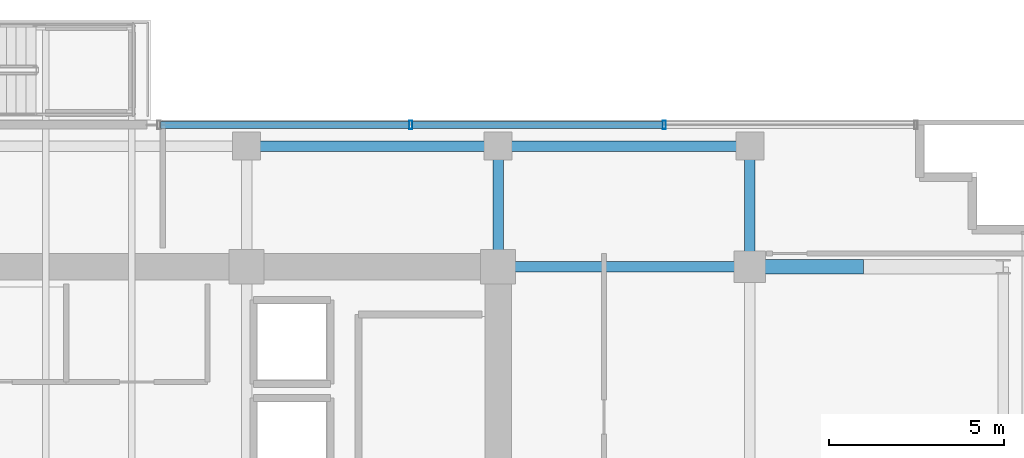
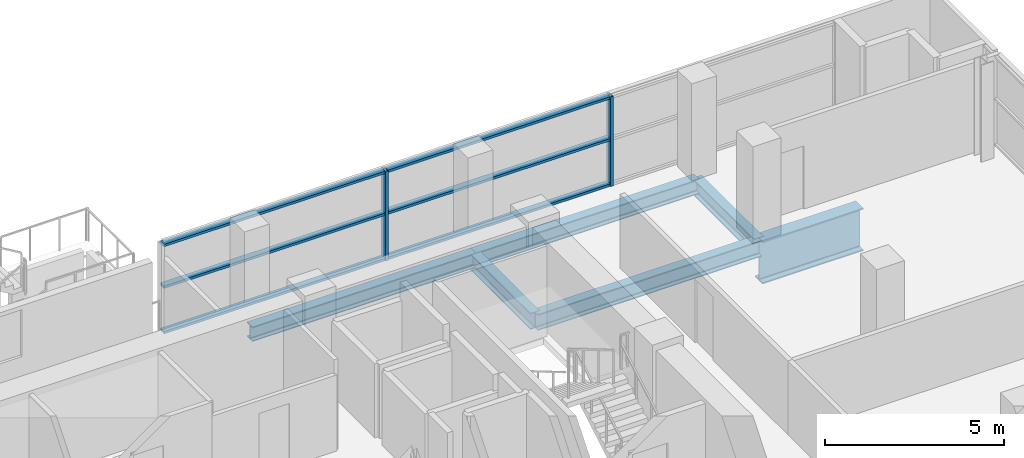
# One storey, part 15 of 27: 8 members, 6 beams, 1 element without a shape of its own.
"""IFC4 building model written with IfcOpenShell, lengths in metres."""

from ifc_helpers import new_model, si_unit, direction, frame, origin, origin_2d, place, context, subcontext, project, spatial, hollow_rectangle, i_section, extrude, source, transform, mapped, material, layer, layer_set, material_profile, profile_set, type_object, element, aggregate, save


model = new_model("IFC4")

# Units and contexts
model_context = context("Model", 3, precision=1e-05, world=origin(), true_north=direction((0.0, 1.0)))
body_context = subcontext(model_context, "Body", "Model", "MODEL_VIEW")
ifc_project = project(units=[si_unit("LENGTHUNIT", "METRE"), si_unit("AREAUNIT", "SQUARE_METRE"), si_unit("VOLUMEUNIT", "CUBIC_METRE"), si_unit("PLANEANGLEUNIT", "RADIAN"), si_unit("MASSUNIT", "GRAM", prefix="KILO")], contexts=[model_context])

# Site, building, storey
site_placement = place(None, origin())
site = spatial("IfcSite", under=ifc_project, at=site_placement, CompositionType="ELEMENT")
building_placement = place(site_placement, origin())
building = spatial("IfcBuilding", under=site, at=building_placement, Name="Zarnakvel Exchange Tower", CompositionType="ELEMENT")
storey_placement = place(building_placement, frame((0.0, 0.0, 113.199951171875)))
storey = spatial("IfcBuildingStorey", under=building, at=storey_placement, Name="L31", CompositionType="ELEMENT", Elevation=113.199951171875)

# Beams
ifc_material_1 = material(Name="Steel S355", Category="steel")
ifc_material_profile_1 = material_profile(ifc_material_1, i_section(OverallWidth=0.300048828125, OverallDepth=0.550048828125, WebThickness=0.014892578125, FlangeThickness=0.029052734375, FilletRadius=0.027099609375, at=origin_2d()))
ifc_profile_set_1 = profile_set([ifc_material_profile_1], Name="Steel S355")
beam_type_1 = type_object("IfcBeamType", Name="G-05", PredefinedType="BEAM", material=ifc_profile_set_1)
beam_1_placement = place(storey_placement, frame((14.39990234375, 13.5, -0.5), z_axis=(1.0, 0.0, 0.0), x_axis=(0.0, 1.0, 0.0)))
element("IfcBeam", 1, at=beam_1_placement, inside=storey, type_object=beam_type_1, Name="L31 Tower E-W Frame Beam", PredefinedType="BEAM", context=body_context, shape_type="SweptSolid", body=[
    extrude(i_section(OverallWidth=0.300048828125, OverallDepth=0.550048828125, WebThickness=0.014892578125, FlangeThickness=0.029052734375, FilletRadius=0.027099609375, at=origin_2d()), origin(), (0.0, 0.0, 1.0), 7.2001953125),
])
for number, where, z_axis, x_axis, name in (
    (2, (14.39990234375, 13.5, -0.5), (0.0, 1.0, 0.0), (-1.0, 0.0, 0.0), "L31 Tower N-S Frame Beam"),
    (3, (21.60009765625, 13.5, -0.5), (0.0, 1.0, 0.0), (-1.0, 0.0, 0.0), "L31 Tower N-S Frame Beam"),
):
    element("IfcBeam", number, at=place(storey_placement, frame(where, z_axis=z_axis, x_axis=x_axis)), inside=storey, type_object=beam_type_1, Name=name, PredefinedType="BEAM", context=body_context, shape_type="SweptSolid", body=[
        extrude(i_section(OverallWidth=0.300048828125, OverallDepth=0.550048828125, WebThickness=0.014892578125, FlangeThickness=0.029052734375, FilletRadius=0.027099609375, at=origin_2d()), origin(), (0.0, 0.0, 1.0), 3.449951171875),
    ])
ifc_material_profile_2 = material_profile(ifc_material_1, i_section(OverallWidth=0.300048828125, OverallDepth=0.5, WebThickness=0.014404296875, FlangeThickness=0.028076171875, FilletRadius=0.027099609375, at=origin_2d()))
ifc_profile_set_2 = profile_set([ifc_material_profile_2], Name="Steel S355")
beam_type_2 = type_object("IfcBeamType", Name="SP-02", PredefinedType="SPANDREL", material=ifc_profile_set_2)
beam_2_placement = place(storey_placement, frame((7.199951171875, 16.949951171875, -0.474853515625), z_axis=(1.0, 0.0, 0.0), x_axis=(0.0, 1.0, 0.0)))
element("IfcBeam", 4, at=beam_2_placement, inside=storey, type_object=beam_type_2, Name="L31 Tower E-W Frame Beam", PredefinedType="SPANDREL", context=body_context, shape_type="SweptSolid", body=[
    extrude(i_section(OverallWidth=0.300048828125, OverallDepth=0.5, WebThickness=0.014404296875, FlangeThickness=0.028076171875, FilletRadius=0.027099609375, at=origin_2d()), origin(), (0.0, 0.0, 1.0), 7.199951171875),
])
beam_3_placement = place(storey_placement, frame((14.39990234375, 16.949951171875, -0.474853515625), z_axis=(1.0, 0.0, 0.0), x_axis=(0.0, 1.0, 0.0)))
element("IfcBeam", 5, at=beam_3_placement, inside=storey, type_object=beam_type_2, Name="L31 Tower E-W Frame Beam", PredefinedType="SPANDREL", context=body_context, shape_type="SweptSolid", body=[
    extrude(i_section(OverallWidth=0.300048828125, OverallDepth=0.5, WebThickness=0.014404296875, FlangeThickness=0.028076171875, FilletRadius=0.027099609375, at=origin_2d()), origin(), (0.0, 0.0, 1.0), 7.2001953125),
])
ifc_material_2 = material(Name="Steel S460", Category="steel")
ifc_material_profile_3 = material_profile(ifc_material_2, i_section(OverallWidth=0.419921875, OverallDepth=1.449951171875, WebThickness=0.02392578125, FlangeThickness=0.0400390625, FilletRadius=0.030029296875, at=origin_2d()))
ifc_profile_set_3 = profile_set([ifc_material_profile_3], Name="Steel S460")
beam_type_3 = type_object("IfcBeamType", Name="TG-01", PredefinedType="BEAM", material=ifc_profile_set_3)
beam_4_placement = place(storey_placement, frame((21.60009765625, 13.5, -0.949951171875), z_axis=(1.0, 0.0, 0.0), x_axis=(0.0, 1.0, 0.0)))
element("IfcBeam", 6, at=beam_4_placement, inside=storey, type_object=beam_type_3, Name="L31 Block-Shift Backspan Transfer TE-F", PredefinedType="BEAM", context=body_context, shape_type="SweptSolid", body=[
    extrude(i_section(OverallWidth=0.419921875, OverallDepth=1.449951171875, WebThickness=0.02392578125, FlangeThickness=0.0400390625, FilletRadius=0.030029296875, at=origin_2d()), origin(), (0.0, 0.0, 1.0), 3.25),
])

# Curtain wall, members
ifc_material_3 = material(Name="Architectural Bronze Anodised Aluminium", Category="aluminium")
ifc_layer = layer(ifc_material_3, 0.239990234375)
ifc_layer_set = layer_set([ifc_layer], Name="Architectural Bronze Anodised Aluminium")
curtain_wall_type = type_object("IfcCurtainWallType", Name="CW-02", PredefinedType="NOTDEFINED", material=ifc_layer_set)
curtain_wall_placement = place(storey_placement, origin())
curtain_wall = element("IfcCurtainWall", 7, at=curtain_wall_placement, inside=storey, type_object=curtain_wall_type, Name="L31 Curtain Wall CW-L31-N1 (CW-02)", PredefinedType="NOTDEFINED")
ifc_material_profile_4 = material_profile(ifc_material_3, hollow_rectangle(XDim=0.239990234375, YDim=0.090087890625, WallThickness=0.006103515625, at=origin_2d()))
ifc_profile_set_4 = profile_set([ifc_material_profile_4], Name="Architectural Bronze Anodised Aluminium")
member_type_1 = type_object("IfcMemberType", Name="CWM-02", PredefinedType="MULLION", material=ifc_profile_set_4)
shared_shape_1 = source(origin(), body_context, "Body", "SweptSolid", [
    extrude(hollow_rectangle(XDim=0.239990234375, YDim=0.090087890625, WallThickness=0.006103515625, at=origin_2d()), origin(), (0.0, 0.0, 1.0), 3.054931640625),
])
member_1_placement = place(storey_placement, frame((11.89990234375, 17.56005859375, 0.0), z_axis=(0.0, 0.0, 1.0), x_axis=(0.0, 1.0, 0.0)))
member_1 = element("IfcMember", 8, at=member_1_placement, type_object=member_type_1, Name="CW-02 mullion 2", PredefinedType="MULLION", context=body_context, shape_type="MappedRepresentation", body=[
    mapped(shared_shape_1, transform((0.0, 0.0, 0.0), x_axis=(1.0, 0.0, 0.0), y_axis=(0.0, 1.0, 0.0), z_axis=(0.0, 0.0, 1.0), scale=1.0)),
])
member_2_placement = place(storey_placement, frame((19.14990234375, 17.56005859375, 0.0), z_axis=(0.0, 0.0, 1.0), x_axis=(0.0, 1.0, 0.0)))
member_2 = element("IfcMember", 9, at=member_2_placement, type_object=member_type_1, Name="CW-02 mullion 3", PredefinedType="MULLION", context=body_context, shape_type="MappedRepresentation", body=[
    mapped(shared_shape_1, transform((0.0, 0.0, 0.0), x_axis=(1.0, 0.0, 0.0), y_axis=(0.0, 1.0, 0.0), z_axis=(0.0, 0.0, 1.0), scale=1.0)),
])
ifc_material_profile_5 = material_profile(ifc_material_3, hollow_rectangle(XDim=0.199951171875, YDim=0.0849609375, WallThickness=0.0048828125, at=origin_2d()))
ifc_profile_set_5 = profile_set([ifc_material_profile_5], Name="Architectural Bronze Anodised Aluminium")
member_type_2 = type_object("IfcMemberType", Name="CWT-02", PredefinedType="USERDEFINED", material=ifc_profile_set_5)
shared_shape_2 = source(origin(), body_context, "Body", "SweptSolid", [
    extrude(hollow_rectangle(XDim=0.199951171875, YDim=0.0849609375, WallThickness=0.0048828125, at=origin_2d()), origin(), (0.0, 0.0, 1.0), 7.114990234375),
])
member_3_placement = place(storey_placement, frame((4.739990234375, 17.56005859375, 0.04248046875), z_axis=(1.0, 0.0, 0.0), x_axis=(0.0, 1.0, 0.0)))
member_3 = element("IfcMember", 10, at=member_3_placement, type_object=member_type_2, Name="CW-02 transom 1.1", ObjectType="TRANSOM", PredefinedType="USERDEFINED", context=body_context, shape_type="MappedRepresentation", body=[
    mapped(shared_shape_2, transform((0.0, 0.0, 0.0), x_axis=(1.0, 0.0, 0.0), y_axis=(0.0, 1.0, 0.0), z_axis=(0.0, 0.0, 1.0), scale=1.0)),
])
member_4_placement = place(storey_placement, frame((4.739990234375, 17.56005859375, 1.588623046875), z_axis=(1.0, 0.0, 0.0), x_axis=(0.0, 1.0, 0.0)))
member_4 = element("IfcMember", 11, at=member_4_placement, type_object=member_type_2, Name="CW-02 transom 1.2", ObjectType="TRANSOM", PredefinedType="USERDEFINED", context=body_context, shape_type="MappedRepresentation", body=[
    mapped(shared_shape_2, transform((0.0, 0.0, 0.0), x_axis=(1.0, 0.0, 0.0), y_axis=(0.0, 1.0, 0.0), z_axis=(0.0, 0.0, 1.0), scale=1.0)),
])
member_5_placement = place(storey_placement, frame((4.739990234375, 17.56005859375, 3.012451171875), z_axis=(1.0, 0.0, 0.0), x_axis=(0.0, 1.0, 0.0)))
member_5 = element("IfcMember", 12, at=member_5_placement, type_object=member_type_2, Name="CW-02 transom 1.3", ObjectType="TRANSOM", PredefinedType="USERDEFINED", context=body_context, shape_type="MappedRepresentation", body=[
    mapped(shared_shape_2, transform((0.0, 0.0, 0.0), x_axis=(1.0, 0.0, 0.0), y_axis=(0.0, 1.0, 0.0), z_axis=(0.0, 0.0, 1.0), scale=1.0)),
])
shared_shape_3 = source(origin(), body_context, "Body", "SweptSolid", [
    extrude(hollow_rectangle(XDim=0.199951171875, YDim=0.0849609375, WallThickness=0.0048828125, at=origin_2d()), origin(), (0.0, 0.0, 1.0), 7.159912109375),
])
member_6_placement = place(storey_placement, frame((11.945068359375, 17.56005859375, 0.04248046875), z_axis=(1.0, 0.0, 0.0), x_axis=(0.0, 1.0, 0.0)))
member_6 = element("IfcMember", 13, at=member_6_placement, type_object=member_type_2, Name="CW-02 transom 2.1", ObjectType="TRANSOM", PredefinedType="USERDEFINED", context=body_context, shape_type="MappedRepresentation", body=[
    mapped(shared_shape_3, transform((0.0, 0.0, 0.0), x_axis=(1.0, 0.0, 0.0), y_axis=(0.0, 1.0, 0.0), z_axis=(0.0, 0.0, 1.0), scale=1.0)),
])
member_7_placement = place(storey_placement, frame((11.945068359375, 17.56005859375, 1.588623046875), z_axis=(1.0, 0.0, 0.0), x_axis=(0.0, 1.0, 0.0)))
member_7 = element("IfcMember", 14, at=member_7_placement, type_object=member_type_2, Name="CW-02 transom 2.2", ObjectType="TRANSOM", PredefinedType="USERDEFINED", context=body_context, shape_type="MappedRepresentation", body=[
    mapped(shared_shape_3, transform((0.0, 0.0, 0.0), x_axis=(1.0, 0.0, 0.0), y_axis=(0.0, 1.0, 0.0), z_axis=(0.0, 0.0, 1.0), scale=1.0)),
])
member_8_placement = place(storey_placement, frame((11.945068359375, 17.56005859375, 3.012451171875), z_axis=(1.0, 0.0, 0.0), x_axis=(0.0, 1.0, 0.0)))
member_8 = element("IfcMember", 15, at=member_8_placement, type_object=member_type_2, Name="CW-02 transom 2.3", ObjectType="TRANSOM", PredefinedType="USERDEFINED", context=body_context, shape_type="MappedRepresentation", body=[
    mapped(shared_shape_3, transform((0.0, 0.0, 0.0), x_axis=(1.0, 0.0, 0.0), y_axis=(0.0, 1.0, 0.0), z_axis=(0.0, 0.0, 1.0), scale=1.0)),
])
aggregate(curtain_wall, [member_1, member_2, member_3, member_4, member_5, member_6, member_7, member_8])

save(model, "model.ifc")
